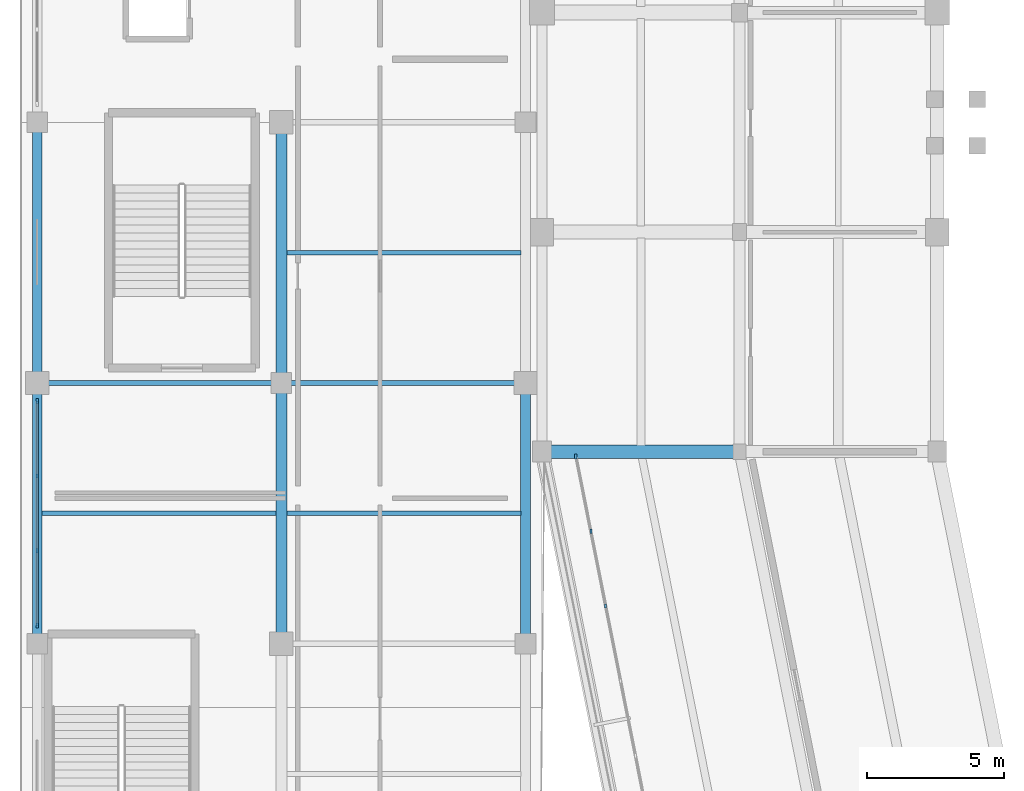
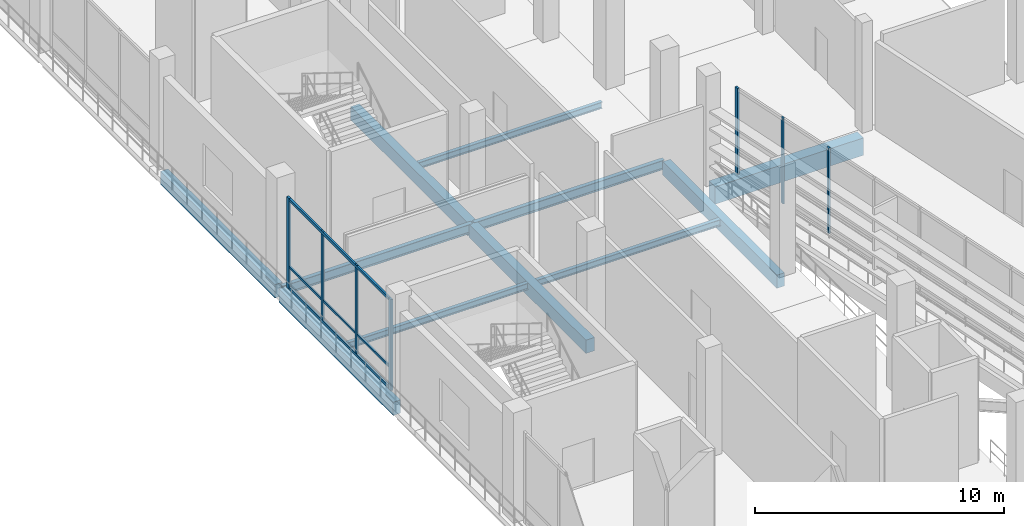
# One storey, part 25 of 114: 11 beams, 10 members, 2 elements without a shape of their own.
"""IFC4 building model written with IfcOpenShell, lengths in metres."""

from ifc_helpers import new_model, si_unit, direction, frame, origin, origin_2d, place, context, subcontext, project, spatial, rectangle, i_section, extrude, material, material_profile, profile_set, type_object, element, aggregate, save


model = new_model("IFC4")

# Units and contexts
model_context = context("Model", 3, precision=1e-05, world=origin(), true_north=direction((0.0, 1.0)))
body_context = subcontext(model_context, "Body", "Model", "MODEL_VIEW")
ifc_project = project(units=[si_unit("LENGTHUNIT", "METRE"), si_unit("AREAUNIT", "SQUARE_METRE"), si_unit("VOLUMEUNIT", "CUBIC_METRE"), si_unit("PLANEANGLEUNIT", "RADIAN"), si_unit("MASSUNIT", "GRAM", prefix="KILO")], contexts=[model_context])

# Site, building, storey
site_placement = place(None, origin())
site = spatial("IfcSite", under=ifc_project, at=site_placement, CompositionType="ELEMENT")
building_placement = place(site_placement, origin())
building = spatial("IfcBuilding", under=site, at=building_placement, Name="Candeia Ridge Stadium", CompositionType="ELEMENT")
storey_placement = place(building_placement, frame((0.0, 0.0, 5.39990234375)))
storey = spatial("IfcBuildingStorey", under=building, at=storey_placement, Name="L01", CompositionType="ELEMENT", Elevation=5.39990234375)

# Curtain wall, member
ifc_material_1 = material(Name="Aluminium Anodized Warm Bronze", Category="aluminium")
curtain_wall_type_1 = type_object("IfcCurtainWallType", Name="Concourse Recessed Unitised Curtain Wall", PredefinedType="NOTDEFINED", material=ifc_material_1)
curtain_wall_1_placement = place(storey_placement, origin())
curtain_wall_1 = element("IfcCurtainWall", 1, at=curtain_wall_1_placement, inside=storey, type_object=curtain_wall_type_1, Name="Unitised curtain wall CW-BWL-L01-14", PredefinedType="NOTDEFINED")
ifc_material_profile_1 = material_profile(ifc_material_1, rectangle(XDim=0.090087890625, YDim=0.179931640625, at=origin_2d()), Name="CWM-90x180", Category="aluminium")
ifc_profile_set_1 = profile_set([ifc_material_profile_1], Name="Aluminium Anodized Warm Bronze")
member_type_1 = type_object("IfcMemberType", Name="Curtain Wall Primary Mullion 90x180", PredefinedType="MULLION", material=ifc_profile_set_1)
member_1_placement = place(storey_placement, frame((20.235107421875, 70.823486328125, 0.0), z_axis=(0.0, 0.0, 1.0), x_axis=(1.0, 0.0, 0.0)))
member_1 = element("IfcMember", 2, at=member_1_placement, type_object=member_type_1, Name="Curtain wall mullion CW-BWL-L01-14-M0", PredefinedType="MULLION", context=body_context, shape_type="SweptSolid", body=[
    extrude(rectangle(XDim=0.090087890625, YDim=0.179931640625, at=origin_2d()), origin(), (0.0, 0.0, 1.0), 4.205078125),
])

# Curtain wall, members
curtain_wall_type_2 = type_object("IfcCurtainWallType", Name="Cardinal Entrance Gate Tall Glazed Curtain Wall", PredefinedType="NOTDEFINED", material=ifc_material_1)
curtain_wall_2_placement = place(storey_placement, origin())
curtain_wall_2 = element("IfcCurtainWall", 3, at=curtain_wall_2_placement, inside=storey, type_object=curtain_wall_type_2, Name="Unitised curtain wall CW-WNG-L01-077", PredefinedType="NOTDEFINED")
member_2_placement = place(storey_placement, frame((0.60009765625, 64.659912109375, 0.0), z_axis=(0.0, 0.0, 1.0), x_axis=(1.0, 0.0, 0.0)))
member_2 = element("IfcMember", 4, at=member_2_placement, type_object=member_type_1, Name="Curtain wall mullion CW-WNG-L01-077-M0", PredefinedType="MULLION", context=body_context, shape_type="SweptSolid", body=[
    extrude(rectangle(XDim=0.090087890625, YDim=0.179931640625, at=origin_2d()), origin(), (0.0, 0.0, 1.0), 4.47509765625),
])
member_3_placement = place(storey_placement, frame((0.60009765625, 72.840087890625, 0.0), z_axis=(0.0, 0.0, 1.0), x_axis=(1.0, 0.0, 0.0)))
member_3 = element("IfcMember", 5, at=member_3_placement, type_object=member_type_1, Name="Curtain wall mullion CW-WNG-L01-077-M3", PredefinedType="MULLION", context=body_context, shape_type="SweptSolid", body=[
    extrude(rectangle(XDim=0.090087890625, YDim=0.179931640625, at=origin_2d()), origin(), (0.0, 0.0, 1.0), 4.47509765625),
])

# Member
ifc_material_profile_2 = material_profile(ifc_material_1, rectangle(XDim=0.074951171875, YDim=0.14990234375, at=origin_2d()), Name="CWM-75x150", Category="aluminium")
ifc_profile_set_2 = profile_set([ifc_material_profile_2], Name="Aluminium Anodized Warm Bronze")
member_type_2 = type_object("IfcMemberType", Name="Curtain Wall Secondary Mullion 75x150", PredefinedType="MULLION", material=ifc_profile_set_2)
member_4_placement = place(storey_placement, frame((20.777587890625, 68.0966796875, 0.0), z_axis=(0.0, 0.0, 1.0), x_axis=(1.0, 0.0, 0.0)))
member_4 = element("IfcMember", 6, at=member_4_placement, type_object=member_type_2, Name="Curtain wall mullion CW-BWL-L01-14-M1", PredefinedType="MULLION", context=body_context, shape_type="SweptSolid", body=[
    extrude(rectangle(XDim=0.074951171875, YDim=0.14990234375, at=origin_2d()), origin(), (0.0, 0.0, 1.0), 4.205078125),
])

member_5_placement = place(storey_placement, frame((21.31982421875, 65.3701171875, 0.0), z_axis=(0.0, 0.0, 1.0), x_axis=(1.0, 0.0, 0.0)))
member_5 = element("IfcMember", 7, at=member_5_placement, type_object=member_type_2, Name="Curtain wall mullion CW-BWL-L01-14-M2", PredefinedType="MULLION", context=body_context, shape_type="SweptSolid", body=[
    extrude(rectangle(XDim=0.074951171875, YDim=0.14990234375, at=origin_2d()), origin(), (0.0, 0.0, 1.0), 4.205078125),
])

aggregate(curtain_wall_1, [member_1, member_4, member_5])

member_6_placement = place(storey_placement, frame((0.60009765625, 67.38671875, 0.0), z_axis=(0.0, 0.0, 1.0), x_axis=(1.0, 0.0, 0.0)))
member_6 = element("IfcMember", 8, at=member_6_placement, type_object=member_type_2, Name="Curtain wall mullion CW-WNG-L01-077-M1", PredefinedType="MULLION", context=body_context, shape_type="SweptSolid", body=[
    extrude(rectangle(XDim=0.074951171875, YDim=0.14990234375, at=origin_2d()), origin(), (0.0, 0.0, 1.0), 4.47509765625),
])

member_7_placement = place(storey_placement, frame((0.60009765625, 70.11328125, 0.0), z_axis=(0.0, 0.0, 1.0), x_axis=(1.0, 0.0, 0.0)))
member_7 = element("IfcMember", 9, at=member_7_placement, type_object=member_type_2, Name="Curtain wall mullion CW-WNG-L01-077-M2", PredefinedType="MULLION", context=body_context, shape_type="SweptSolid", body=[
    extrude(rectangle(XDim=0.074951171875, YDim=0.14990234375, at=origin_2d()), origin(), (0.0, 0.0, 1.0), 4.47509765625),
])

ifc_material_profile_3 = material_profile(ifc_material_1, rectangle(XDim=0.074951171875, YDim=0.110107421875, at=origin_2d()), Name="CWT-75x110", Category="aluminium")
ifc_profile_set_3 = profile_set([ifc_material_profile_3], Name="Aluminium Anodized Warm Bronze")
member_type_3 = type_object("IfcMemberType", Name="Curtain Wall Secondary Transom 75x110", PredefinedType="USERDEFINED", material=ifc_profile_set_3)
member_8_placement = place(storey_placement, frame((0.60009765625, 64.659912109375, 1.10009765625), z_axis=(0.0, 1.0, 0.0), x_axis=(-1.0, 0.0, 0.0)))
member_8 = element("IfcMember", 10, at=member_8_placement, type_object=member_type_3, Name="Curtain wall transom CW-WNG-L01-077-T1", ObjectType="TRANSOM", PredefinedType="USERDEFINED", context=body_context, shape_type="SweptSolid", body=[
    extrude(rectangle(XDim=0.074951171875, YDim=0.110107421875, at=origin_2d()), origin(), (0.0, 0.0, 1.0), 8.18017578125),
])

ifc_material_profile_4 = material_profile(ifc_material_1, rectangle(XDim=0.090087890625, YDim=0.139892578125, at=origin_2d()), Name="CWT-90x140", Category="aluminium")
ifc_profile_set_4 = profile_set([ifc_material_profile_4], Name="Aluminium Anodized Warm Bronze")
member_type_4 = type_object("IfcMemberType", Name="Curtain Wall Transom 90x140", PredefinedType="USERDEFINED", material=ifc_profile_set_4)
member_9_placement = place(storey_placement, frame((0.60009765625, 64.659912109375, 0.070068359375), z_axis=(0.0, 1.0, 0.0), x_axis=(-1.0, 0.0, 0.0)))
member_9 = element("IfcMember", 11, at=member_9_placement, type_object=member_type_4, Name="Curtain wall transom CW-WNG-L01-077-T0", ObjectType="TRANSOM", PredefinedType="USERDEFINED", context=body_context, shape_type="SweptSolid", body=[
    extrude(rectangle(XDim=0.090087890625, YDim=0.139892578125, at=origin_2d()), origin(), (0.0, 0.0, 1.0), 8.18017578125),
])

member_10_placement = place(storey_placement, frame((0.60009765625, 64.659912109375, 4.405029296875), z_axis=(0.0, 1.0, 0.0), x_axis=(-1.0, 0.0, 0.0)))
member_10 = element("IfcMember", 12, at=member_10_placement, type_object=member_type_4, Name="Curtain wall transom CW-WNG-L01-077-T2", ObjectType="TRANSOM", PredefinedType="USERDEFINED", context=body_context, shape_type="SweptSolid", body=[
    extrude(rectangle(XDim=0.090087890625, YDim=0.139892578125, at=origin_2d()), origin(), (0.0, 0.0, 1.0), 8.18017578125),
])

aggregate(curtain_wall_2, [member_2, member_6, member_7, member_3, member_9, member_8, member_10])

# Beams
ifc_material_2 = material(Name="Concrete C45/55", Category="concrete")
ifc_material_profile_5 = material_profile(ifc_material_2, rectangle(XDim=0.5, YDim=0.85009765625, at=origin_2d()), Name="RC500x850", Category="concrete")
ifc_profile_set_5 = profile_set([ifc_material_profile_5], Name="Concrete C45/55")
beam_type_1 = type_object("IfcBeamType", Name="Frame Girder RC500x850", PredefinedType="BEAM", material=ifc_profile_set_5)
beam_placement = place(storey_placement, frame((26.0400390625, 71.0, -0.684814453125), z_axis=(-1.0, 0.0, 0.0), x_axis=(0.0, -1.0, 0.0)))
element("IfcBeam", 13, at=beam_placement, inside=storey, type_object=beam_type_1, Name="Bowl radial girder BM-L01-0030", PredefinedType="BEAM", context=body_context, shape_type="SweptSolid", body=[
    extrude(rectangle(XDim=0.5, YDim=0.85009765625, at=origin_2d()), origin(), (0.0, 0.0, 1.0), 6.880126953125),
])
ifc_material_3 = material(Name="Steel ASTM A572 Grade 50", Category="steel")
ifc_material_profile_6 = material_profile(ifc_material_3, i_section(OverallWidth=0.1669921875, OverallDepth=0.31689453125, WebThickness=0.007568359375, FlangeThickness=0.01318359375, FilletRadius=0.011962890625, at=origin_2d()), Name="W310x52", Category="steel")
ifc_profile_set_6 = profile_set([ifc_material_profile_6], Name="Steel ASTM A572 Grade 50")
beam_type_2 = type_object("IfcBeamType", Name="Pavilion Secondary Joist W310x52", PredefinedType="JOIST", material=ifc_profile_set_6)
for number, where, z_axis, x_axis, name in (
    (14, (0.7744140625, 68.75, -0.41845703125), (1.0, 0.0, 0.0), (0.0, 1.0, 0.0), "Wing secondary joist BM-L01-1079"),
    (15, (9.699462890625, 68.75, -0.41845703125), (1.0, 0.0, 0.0), (0.0, 1.0, 0.0), "Wing secondary joist BM-L01-1099"),
    (16, (9.699462890625, 78.25, -0.41845703125), (1.0, 0.0, 0.0), (0.0, 1.0, 0.0), "Wing secondary joist BM-L01-1101"),
):
    element("IfcBeam", number, at=place(storey_placement, frame(where, z_axis=z_axis, x_axis=x_axis)), inside=storey, type_object=beam_type_2, Name=name, PredefinedType="JOIST", context=body_context, shape_type="SweptSolid", body=[
        extrude(i_section(OverallWidth=0.1669921875, OverallDepth=0.31689453125, WebThickness=0.007568359375, FlangeThickness=0.01318359375, FilletRadius=0.011962890625, at=origin_2d()), origin(), (0.0, 0.0, 1.0), 8.526123046875),
    ])
ifc_material_profile_7 = material_profile(ifc_material_3, i_section(OverallWidth=0.18994140625, OverallDepth=0.45703125, WebThickness=0.009033203125, FlangeThickness=0.014404296875, FilletRadius=0.012939453125, at=origin_2d()), Name="W460x74", Category="steel")
ifc_profile_set_7 = profile_set([ifc_material_profile_7], Name="Steel ASTM A572 Grade 50")
beam_type_3 = type_object("IfcBeamType", Name="Pavilion Steel Girder W460x74", PredefinedType="BEAM", material=ifc_profile_set_7)
for number, where, z_axis, x_axis, name in (
    (17, (0.64990234375, 73.5, -0.48828125), (1.0, 0.0, 0.0), (0.0, 1.0, 0.0), "Structural girder BM-L01-1080"),
    (18, (9.550048828125, 73.5, -0.48828125), (1.0, 0.0, 0.0), (0.0, 1.0, 0.0), "Structural girder BM-L01-1100"),
):
    element("IfcBeam", number, at=place(storey_placement, frame(where, z_axis=z_axis, x_axis=x_axis)), inside=storey, type_object=beam_type_3, Name=name, PredefinedType="BEAM", context=body_context, shape_type="SweptSolid", body=[
        extrude(i_section(OverallWidth=0.18994140625, OverallDepth=0.45703125, WebThickness=0.009033203125, FlangeThickness=0.014404296875, FilletRadius=0.012939453125, at=origin_2d()), origin(), (0.0, 0.0, 1.0), 8.800048828125),
    ])
ifc_material_4 = material(Name="Concrete C40/50", Category="concrete")
ifc_material_profile_8 = material_profile(ifc_material_4, rectangle(XDim=0.35009765625, YDim=0.64990234375, at=origin_2d()), Name="RC350x650", Category="concrete")
ifc_profile_set_8 = profile_set([ifc_material_profile_8], Name="Concrete C40/50")
beam_type_4 = type_object("IfcBeamType", Name="Spandrel Beam RC350x650", PredefinedType="SPANDREL", material=ifc_profile_set_8)
for number, where, z_axis, x_axis, name in (
    (19, (0.60009765625, 64.159912109375, -0.5849609375), (0.0, 1.0, 0.0), (-1.0, 0.0, 0.0), "Structural girder BM-L01-1038"),
    (20, (0.60009765625, 73.659912109375, -0.5849609375), (0.0, 1.0, 0.0), (-1.0, 0.0, 0.0), "Structural girder BM-L01-1039"),
    (21, (18.39990234375, 64.159912109375, -0.5849609375), (0.0, 1.0, 0.0), (-1.0, 0.0, 0.0), "Structural girder BM-L01-1063"),
):
    element("IfcBeam", number, at=place(storey_placement, frame(where, z_axis=z_axis, x_axis=x_axis)), inside=storey, type_object=beam_type_4, Name=name, PredefinedType="SPANDREL", context=body_context, shape_type="SweptSolid", body=[
        extrude(rectangle(XDim=0.35009765625, YDim=0.64990234375, at=origin_2d()), origin(), (0.0, 0.0, 1.0), 9.18017578125),
    ])
ifc_material_profile_9 = material_profile(ifc_material_4, rectangle(XDim=0.39990234375, YDim=0.64990234375, at=origin_2d()), Name="RC400x650", Category="concrete")
ifc_profile_set_9 = profile_set([ifc_material_profile_9], Name="Concrete C40/50")
beam_type_5 = type_object("IfcBeamType", Name="Wing Primary Girder RC400x650", PredefinedType="BEAM", material=ifc_profile_set_9)
for number, where, z_axis, x_axis, name in (
    (22, (9.5, 64.050048828125, -0.5849609375), (0.0, 1.0, 0.0), (-1.0, 0.0, 0.0), "Structural girder BM-L01-1052"),
    (23, (9.5, 73.550048828125, -0.5849609375), (0.0, 1.0, 0.0), (-1.0, 0.0, 0.0), "Structural girder BM-L01-1053"),
):
    element("IfcBeam", number, at=place(storey_placement, frame(where, z_axis=z_axis, x_axis=x_axis)), inside=storey, type_object=beam_type_5, Name=name, PredefinedType="BEAM", context=body_context, shape_type="SweptSolid", body=[
        extrude(rectangle(XDim=0.39990234375, YDim=0.64990234375, at=origin_2d()), origin(), (0.0, 0.0, 1.0), 9.39990234375),
    ])

save(model, "model.ifc")
